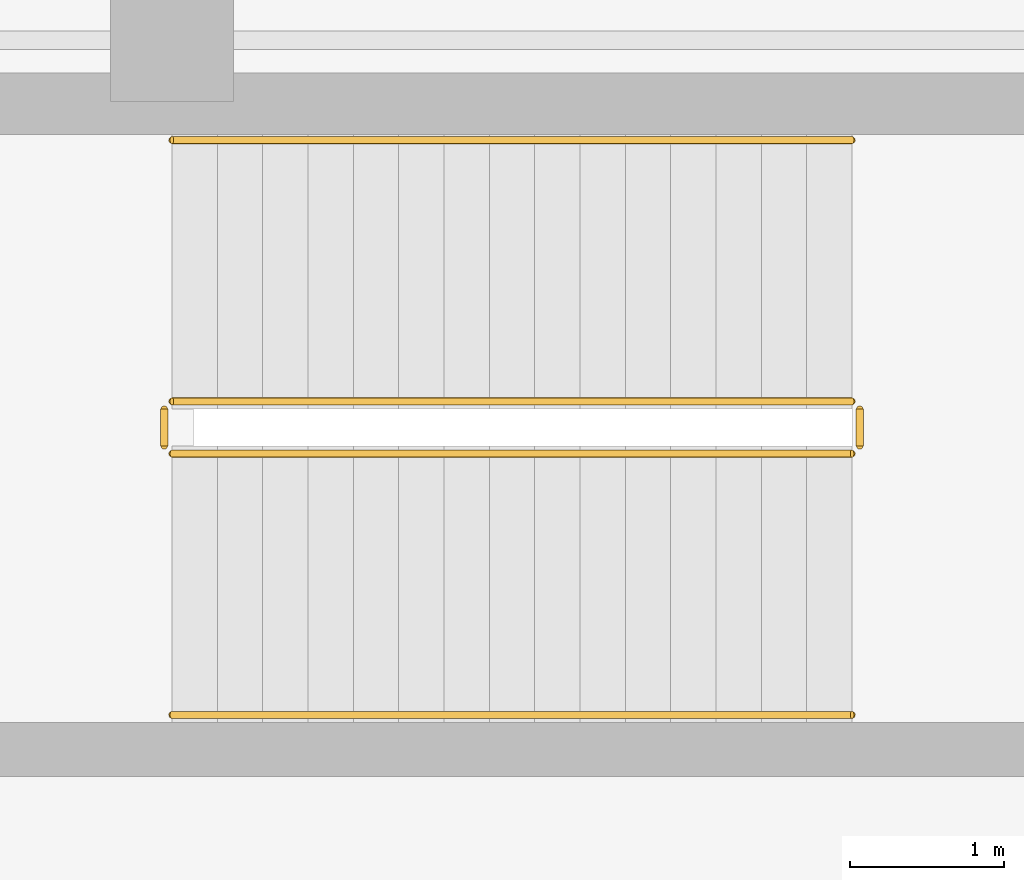
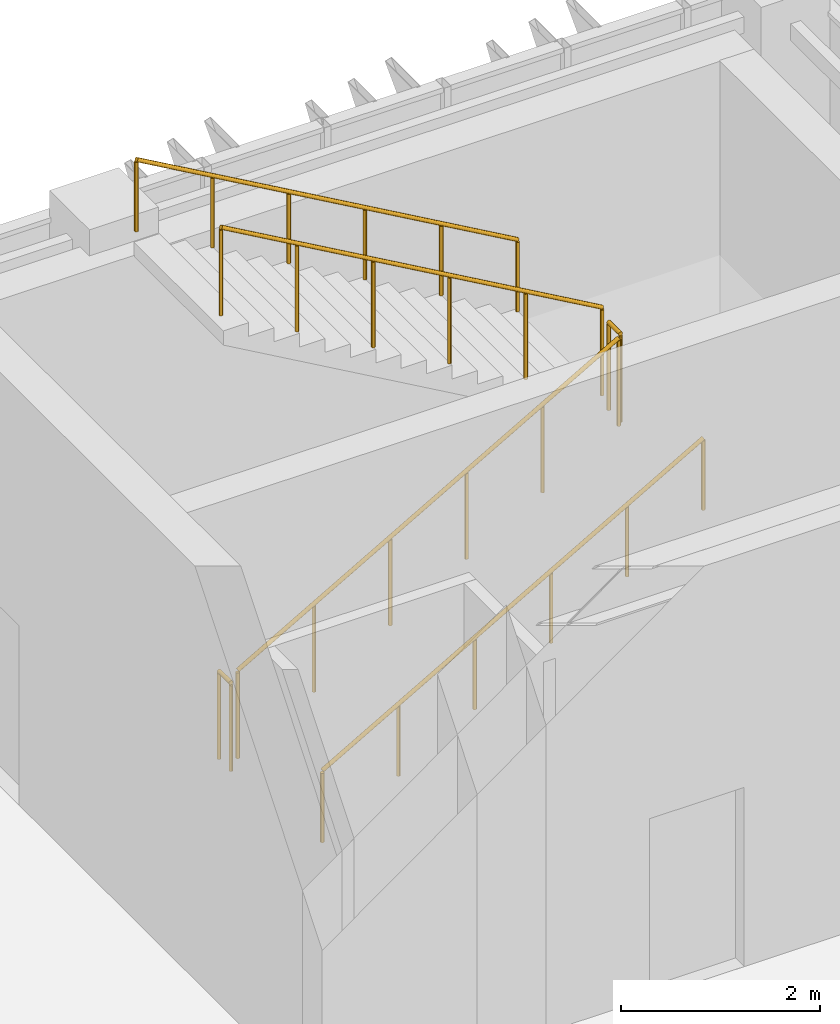
# One storey, part 134 of 139: 6 railings.
"""IFC4 building model written with IfcOpenShell, lengths in metres."""

from ifc_helpers import new_model, si_unit, direction, frame, origin, origin_2d, place, context, subcontext, project, spatial, circle, extrude, material, type_object, element, save


model = new_model("IFC4")

# Units and contexts
model_context = context("Model", 3, precision=1e-05, world=origin(), true_north=direction((0.0, 1.0)))
body_context = subcontext(model_context, "Body", "Model", "MODEL_VIEW")
ifc_project = project(units=[si_unit("LENGTHUNIT", "METRE"), si_unit("AREAUNIT", "SQUARE_METRE"), si_unit("VOLUMEUNIT", "CUBIC_METRE"), si_unit("PLANEANGLEUNIT", "RADIAN"), si_unit("MASSUNIT", "GRAM", prefix="KILO")], contexts=[model_context])

# Site, building, storey
site_placement = place(None, origin())
site = spatial("IfcSite", under=ifc_project, at=site_placement, CompositionType="ELEMENT")
building_placement = place(site_placement, origin())
building = spatial("IfcBuilding", under=site, at=building_placement, Name="Zayran Congress Hotel", CompositionType="ELEMENT")
storey_placement = place(building_placement, frame((0.0, 0.0, 5.39990234375)))
storey = spatial("IfcBuildingStorey", under=building, at=storey_placement, Name="L01", CompositionType="ELEMENT", Elevation=5.39990234375)

# Railings
ifc_material_1 = material(Name="Painted steel balustrade", Category="steel")
railing_type_1 = type_object("IfcRailingType", Name="TP-GRD-INT", PredefinedType="GUARDRAIL", material=ifc_material_1)
railing_1_placement = place(storey_placement, frame((84.0, 114.7099609375, 0.1689453125)))
element("IfcRailing", 1, at=railing_1_placement, inside=storey, type_object=railing_type_1, Name="L01 ST-04 stair guard 1", PredefinedType="GUARDRAIL", context=body_context, shape_type="SweptSolid", body=[
    extrude(circle(Radius=0.02392578125, at=origin_2d()), frame((0.0, 0.0, 1.076171875), z_axis=(0.868019072493, 0.0, 0.49653085482), x_axis=(0.0, 1.0, 0.0)), (0.0, 0.0, 1.0), 5.097900390625),
    extrude(circle(Radius=0.02099609375, at=origin_2d()), origin(), (0.0, 0.0, 1.0), 1.052001953125),
    extrude(circle(Radius=0.02099609375, at=origin_2d()), frame((0.885009765625, 0.0, 0.50634765625)), (0.0, 0.0, 1.0), 1.052001953125),
    extrude(circle(Radius=0.02099609375, at=origin_2d()), frame((1.77001953125, 0.0, 1.012451171875)), (0.0, 0.0, 1.0), 1.052001953125),
    extrude(circle(Radius=0.02099609375, at=origin_2d()), frame((2.655029296875, 0.0, 1.518798828125)), (0.0, 0.0, 1.0), 1.052001953125),
    extrude(circle(Radius=0.02099609375, at=origin_2d()), frame((3.5400390625, 0.0, 2.02490234375)), (0.0, 0.0, 1.0), 1.052001953125),
    extrude(circle(Radius=0.02099609375, at=origin_2d()), frame((4.425048828125, 0.0, 2.53125)), (0.0, 0.0, 1.0), 1.052001953125),
])
railing_2_placement = place(storey_placement, frame((88.47509765625, 114.760009765625, 2.7001953125)))
element("IfcRailing", 2, at=railing_2_placement, inside=storey, type_object=railing_type_1, Name="L01 ST-04 stair guard 2", PredefinedType="GUARDRAIL", context=body_context, shape_type="SweptSolid", body=[
    extrude(circle(Radius=0.02392578125, at=origin_2d()), frame((0.0, 0.0, 1.076171875), z_axis=(0.0, 1.0, 0.0), x_axis=(-1.0, 0.0, 0.0)), (0.0, 0.0, 1.0), 0.239990234375),
    extrude(circle(Radius=0.02099609375, at=origin_2d()), origin(), (0.0, 0.0, 1.0), 1.052001953125),
    extrude(circle(Radius=0.02099609375, at=origin_2d()), frame((0.0, 0.239990234375, 0.0)), (0.0, 0.0, 1.0), 1.052001953125),
])
railing_3_placement = place(storey_placement, frame((88.425048828125, 115.050048828125, 2.868896484375)))
element("IfcRailing", 3, at=railing_3_placement, inside=storey, type_object=railing_type_1, Name="L01 ST-04 stair guard 3", PredefinedType="GUARDRAIL", context=body_context, shape_type="SweptSolid", body=[
    extrude(circle(Radius=0.02392578125, at=origin_2d()), frame((0.0, 0.0, 1.076171875), z_axis=(-0.868019072493, 0.0, 0.49653085482), x_axis=(0.0, -1.0, 0.0)), (0.0, 0.0, 1.0), 5.097900390625),
    extrude(circle(Radius=0.02099609375, at=origin_2d()), origin(), (0.0, 0.0, 1.0), 1.052001953125),
    extrude(circle(Radius=0.02099609375, at=origin_2d()), frame((-0.885009765625, 0.0, 0.50634765625)), (0.0, 0.0, 1.0), 1.052001953125),
    extrude(circle(Radius=0.02099609375, at=origin_2d()), frame((-1.77001953125, 0.0, 1.012451171875)), (0.0, 0.0, 1.0), 1.052001953125),
    extrude(circle(Radius=0.02099609375, at=origin_2d()), frame((-2.655029296875, 0.0, 1.518798828125)), (0.0, 0.0, 1.0), 1.052001953125),
    extrude(circle(Radius=0.02099609375, at=origin_2d()), frame((-3.5400390625, 0.0, 2.02490234375)), (0.0, 0.0, 1.0), 1.052001953125),
    extrude(circle(Radius=0.02099609375, at=origin_2d()), frame((-4.425048828125, 0.0, 2.53125)), (0.0, 0.0, 1.0), 1.052001953125),
])
railing_4_placement = place(storey_placement, frame((83.949951171875, 114.760009765625, 0.0)))
element("IfcRailing", 4, at=railing_4_placement, inside=storey, type_object=railing_type_1, Name="L01 ST-04 stair guard 4", PredefinedType="GUARDRAIL", context=body_context, shape_type="SweptSolid", body=[
    extrude(circle(Radius=0.02392578125, at=origin_2d()), frame((0.0, 0.0, 1.076171875), z_axis=(0.0, 1.0, 0.0), x_axis=(-1.0, 0.0, 0.0)), (0.0, 0.0, 1.0), 0.239990234375),
    extrude(circle(Radius=0.02099609375, at=origin_2d()), origin(), (0.0, 0.0, 1.0), 1.052001953125),
    extrude(circle(Radius=0.02099609375, at=origin_2d()), frame((0.0, 0.239990234375, 0.0)), (0.0, 0.0, 1.0), 1.052001953125),
])
ifc_material_2 = material(Name="Brushed stainless steel handrail", Category="steel")
railing_type_2 = type_object("IfcRailingType", Name="TP-HND-STR", PredefinedType="HANDRAIL", material=ifc_material_2)
railing_5_placement = place(storey_placement, frame((84.0, 113.010009765625, 0.1689453125)))
element("IfcRailing", 5, at=railing_5_placement, inside=storey, type_object=railing_type_2, Name="L01 ST-04 stair handrail 1", PredefinedType="HANDRAIL", context=body_context, shape_type="SweptSolid", body=[
    extrude(circle(Radius=0.02392578125, at=origin_2d()), frame((0.0, 0.0, 0.8759765625), z_axis=(0.868019072493, 0.0, 0.49653085482), x_axis=(0.0, 1.0, 0.0)), (0.0, 0.0, 1.0), 5.097900390625),
    extrude(circle(Radius=0.02099609375, at=origin_2d()), origin(), (0.0, 0.0, 1.0), 0.851806640625),
    extrude(circle(Radius=0.02099609375, at=origin_2d()), frame((0.885009765625, 0.0, 0.50634765625)), (0.0, 0.0, 1.0), 0.851806640625),
    extrude(circle(Radius=0.02099609375, at=origin_2d()), frame((1.77001953125, 0.0, 1.012451171875)), (0.0, 0.0, 1.0), 0.851806640625),
    extrude(circle(Radius=0.02099609375, at=origin_2d()), frame((2.655029296875, 0.0, 1.518798828125)), (0.0, 0.0, 1.0), 0.851806640625),
    extrude(circle(Radius=0.02099609375, at=origin_2d()), frame((3.5400390625, 0.0, 2.02490234375)), (0.0, 0.0, 1.0), 0.851806640625),
    extrude(circle(Radius=0.02099609375, at=origin_2d()), frame((4.425048828125, 0.0, 2.53125)), (0.0, 0.0, 1.0), 0.851806640625),
])
railing_6_placement = place(storey_placement, frame((88.425048828125, 116.75, 2.868896484375)))
element("IfcRailing", 6, at=railing_6_placement, inside=storey, type_object=railing_type_2, Name="L01 ST-04 stair handrail 2", PredefinedType="HANDRAIL", context=body_context, shape_type="SweptSolid", body=[
    extrude(circle(Radius=0.02392578125, at=origin_2d()), frame((0.0, 0.0, 0.8759765625), z_axis=(-0.868019072493, 0.0, 0.49653085482), x_axis=(0.0, -1.0, 0.0)), (0.0, 0.0, 1.0), 5.097900390625),
    extrude(circle(Radius=0.02099609375, at=origin_2d()), origin(), (0.0, 0.0, 1.0), 0.851806640625),
    extrude(circle(Radius=0.02099609375, at=origin_2d()), frame((-0.885009765625, 0.0, 0.50634765625)), (0.0, 0.0, 1.0), 0.851806640625),
    extrude(circle(Radius=0.02099609375, at=origin_2d()), frame((-1.77001953125, 0.0, 1.012451171875)), (0.0, 0.0, 1.0), 0.851806640625),
    extrude(circle(Radius=0.02099609375, at=origin_2d()), frame((-2.655029296875, 0.0, 1.518798828125)), (0.0, 0.0, 1.0), 0.851806640625),
    extrude(circle(Radius=0.02099609375, at=origin_2d()), frame((-3.5400390625, 0.0, 2.02490234375)), (0.0, 0.0, 1.0), 0.851806640625),
    extrude(circle(Radius=0.02099609375, at=origin_2d()), frame((-4.425048828125, 0.0, 2.53125)), (0.0, 0.0, 1.0), 0.851806640625),
])

save(model, "model.ifc")
